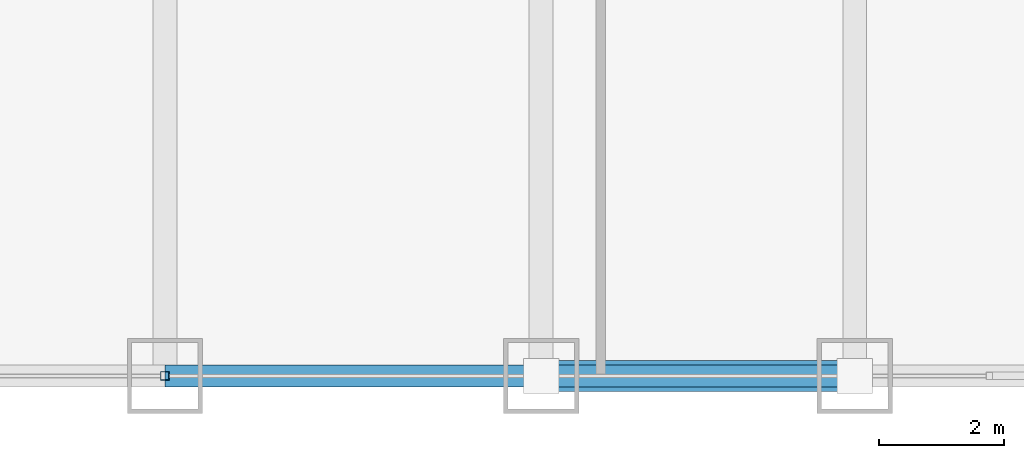
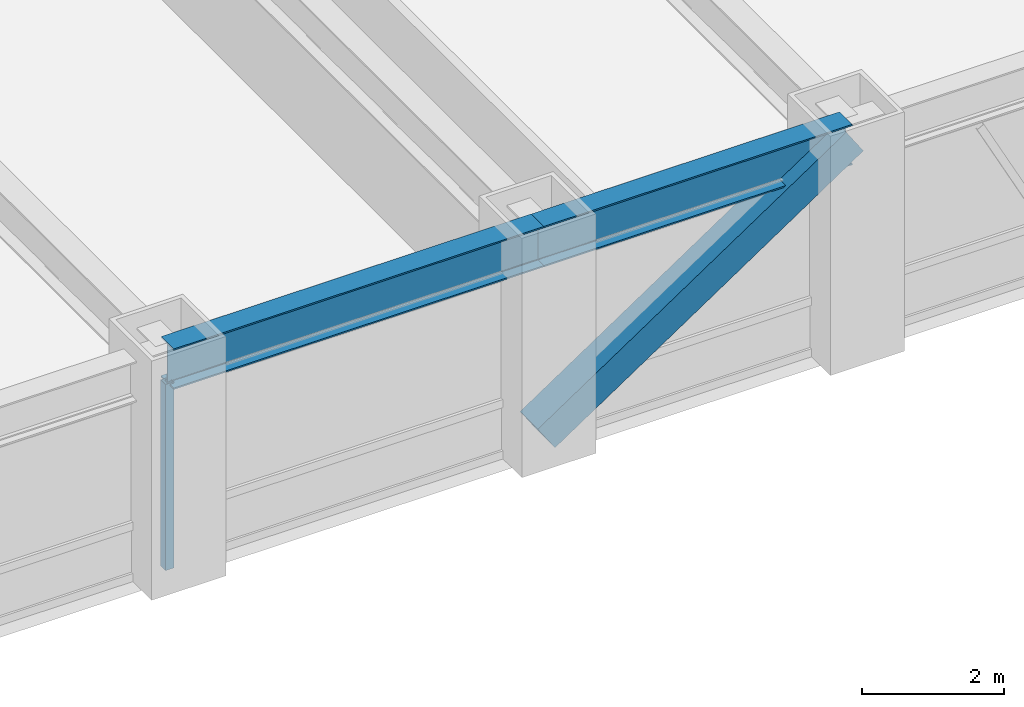
# One storey, part 4 of 27: 2 beams, 2 members, 1 element without a shape of its own.
"""IFC4 building model written with IfcOpenShell, lengths in metres."""

import ifcopenshell
import ifcopenshell.guid

model = None  # the IFC model being written
_history = None  # IfcOwnerHistory: only IFC2X3 demands one
_inside = {}  # id of a spatial element -> (the spatial element, [elements in it])
_under = {}  # id of a project, library or spatial element -> (it, [spatial elements below it])
_declared = {}  # id of a project -> (the project, [libraries it declares])
_typed = {}  # id of a type object -> (the type object, [elements of that type])
_made_of = {}  # id of a material, layer set ... -> (it, [elements and type objects made of it])


def new_model(schema):
    """Start an empty IFC model of exactly this schema.

    Asked for "IFC4X3", IfcOpenShell would pick the latest addendum, in which some entities
    have other attributes; the version numbers below select the first issue.
    IFC2X3 requires an IfcOwnerHistory on every rooted entity: one is made here for all.
    """
    global model, _history
    if schema == "IFC4X3":
        model = ifcopenshell.file(schema_version=(4, 3, 0, 0))
    else:
        model = ifcopenshell.file(schema=schema)
    _inside.clear()
    _under.clear()
    _declared.clear()
    _typed.clear()
    _made_of.clear()
    _history = None
    if model.schema == "IFC2X3":
        org = make("IfcOrganization", Name="unknown")
        user = make(
            "IfcPersonAndOrganization",
            ThePerson=make("IfcPerson", FamilyName="unknown"),
            TheOrganization=org,
        )
        app = make(
            "IfcApplication",
            ApplicationDeveloper=org,
            Version="unknown",
            ApplicationFullName="unknown",
            ApplicationIdentifier="unknown",
        )
        _history = make(
            "IfcOwnerHistory",
            OwningUser=user,
            OwningApplication=app,
            ChangeAction="ADDED",
            CreationDate=0,
        )
    return model


def make(cls, **values):
    """One entity of the class cls with the attributes given. An attribute that is None is left unset."""
    return model.create_entity(
        cls, **{name: value for name, value in values.items() if value is not None}
    )


def rooted(cls, **values):
    """An entity with a GlobalId (a new one), such as an element, a storey or a relation."""
    return make(cls, GlobalId=ifcopenshell.guid.new(), OwnerHistory=_history, **values)


def si_unit(unit_type, name, prefix=None):
    """IfcSIUnit, for example si_unit("LENGTHUNIT", "METRE", prefix="MILLI")."""
    return make("IfcSIUnit", UnitType=unit_type, Prefix=prefix, Name=name)


def assignment(units):
    """IfcUnitAssignment: the units of a project."""
    return None if units is None else make("IfcUnitAssignment", Units=units)


def point(xyz):
    """IfcCartesianPoint."""
    return None if xyz is None else make("IfcCartesianPoint", Coordinates=xyz)


def direction(xyz):
    """IfcDirection."""
    return None if xyz is None else make("IfcDirection", DirectionRatios=xyz)


def frame(location, z_axis=None, x_axis=None):
    """IfcAxis2Placement3D, a coordinate frame: its origin and axes. An axis left out is left unset."""
    return make(
        "IfcAxis2Placement3D",
        Location=point(location),
        Axis=direction(z_axis),
        RefDirection=direction(x_axis),
    )


def frame_2d(location, x_axis=None):
    """IfcAxis2Placement2D, a coordinate frame in the plane: its origin and x axis."""
    return make(
        "IfcAxis2Placement2D", Location=point(location), RefDirection=direction(x_axis)
    )


def origin():
    """The frame at (0, 0, 0) with its axes left unset."""
    return frame((0.0, 0.0, 0.0))


def origin_2d():
    """The frame at (0, 0) in the plane with its x axis left unset."""
    return frame_2d((0.0, 0.0))


def place(relative_to, where):
    """IfcLocalPlacement: puts the frame where relative to a parent placement (None: the world)."""
    return make(
        "IfcLocalPlacement", PlacementRelTo=relative_to, RelativePlacement=where
    )


def context(
    kind, dimensions, precision=None, world=None, true_north=None, identifier=None
):
    """IfcGeometricRepresentationContext, for example the 3D "Model" context."""
    return make(
        "IfcGeometricRepresentationContext",
        ContextIdentifier=identifier,
        ContextType=kind,
        CoordinateSpaceDimension=dimensions,
        Precision=precision,
        WorldCoordinateSystem=world,
        TrueNorth=true_north,
    )


def subcontext(parent, identifier, kind, view, scale=None):
    """IfcGeometricRepresentationSubContext, for example "Body" below "Model"."""
    return make(
        "IfcGeometricRepresentationSubContext",
        ContextIdentifier=identifier,
        ContextType=kind,
        ParentContext=parent,
        TargetScale=scale,
        TargetView=view,
    )


def project(units=None, contexts=None):
    """IfcProject with its units and contexts."""
    return rooted(
        "IfcProject",
        Name="project",
        RepresentationContexts=contexts,
        UnitsInContext=assignment(units),
    )


def spatial(cls, under=None, at=None, **own):
    """A site, building, storey or space (cls), placed at a placement, below another one or the project."""
    s = rooted(cls, ObjectPlacement=at, **own)
    if under is not None:
        _under.setdefault(under.id(), (under, []))[1].append(s)
    return s


def profile(cls, at=None, kind="AREA", **sizes):
    """A parametric profile (cls). Its sizes go by their IFC names, for example OverallWidth=200.0."""
    return make(cls, ProfileType=kind, Position=at, **sizes)


def hollow_rectangle(**sizes):
    """IfcRectangleHollowProfileDef."""
    return profile("IfcRectangleHollowProfileDef", **sizes)


def i_section(**sizes):
    """IfcIShapeProfileDef."""
    return profile("IfcIShapeProfileDef", **sizes)


def extrude(swept, where, along, depth):
    """IfcExtrudedAreaSolid: the profile swept, set in the frame where, extruded along a direction by depth."""
    return make(
        "IfcExtrudedAreaSolid",
        SweptArea=swept,
        Position=where,
        ExtrudedDirection=direction(along),
        Depth=depth,
    )


def shape(context_of_items, identifier, shape_type, items):
    """IfcShapeRepresentation: the items that make up one representation, for example the "Body"."""
    return make(
        "IfcShapeRepresentation",
        ContextOfItems=context_of_items,
        RepresentationIdentifier=identifier,
        RepresentationType=shape_type,
        Items=items,
    )


def source(mapping_origin, context_of_items, identifier, shape_type, items):
    """IfcRepresentationMap: a shape defined once, which mapped items show again and again."""
    return make(
        "IfcRepresentationMap",
        MappingOrigin=mapping_origin,
        MappedRepresentation=shape(context_of_items, identifier, shape_type, items),
    )


def transform(
    local_origin,
    x_axis=None,
    y_axis=None,
    z_axis=None,
    scale=None,
    scale2=None,
    scale3=None,
    uniform=True,
):
    """IfcCartesianTransformationOperator3D, or its non-uniform kind. x_axis, y_axis, z_axis: its Axis1, 2, 3."""
    if uniform:
        return make(
            "IfcCartesianTransformationOperator3D",
            Axis1=direction(x_axis),
            Axis2=direction(y_axis),
            LocalOrigin=point(local_origin),
            Scale=scale,
            Axis3=direction(z_axis),
        )
    return make(
        "IfcCartesianTransformationOperator3DnonUniform",
        Axis1=direction(x_axis),
        Axis2=direction(y_axis),
        LocalOrigin=point(local_origin),
        Scale=scale,
        Axis3=direction(z_axis),
        Scale2=scale2,
        Scale3=scale3,
    )


def mapped(mapping_source, mapping_target):
    """IfcMappedItem: shows the shape of a source again, moved by a transform."""
    return make(
        "IfcMappedItem", MappingSource=mapping_source, MappingTarget=mapping_target
    )


def material(Name=None, Category=None):
    """IfcMaterial."""
    return make("IfcMaterial", Name=Name, Category=Category)


def material_profile(
    of_material, cross_section, Name=None, Category=None, Priority=None
):
    """IfcMaterialProfile: a cross section and its material."""
    return make(
        "IfcMaterialProfile",
        Name=Name,
        Material=of_material,
        Profile=cross_section,
        Priority=Priority,
        Category=Category,
    )


def profile_set(profiles, Name=None, composite=None):
    """IfcMaterialProfileSet."""
    return make(
        "IfcMaterialProfileSet",
        Name=Name,
        MaterialProfiles=profiles,
        CompositeProfile=composite,
    )


def made_of(thing, what):
    """Note that an element or type object is made of a material, layer set ...; save() writes the relation."""
    if what is not None:
        _made_of.setdefault(what.id(), (what, []))[1].append(thing)
    return thing


def type_object(cls, material=None, **own):
    """A type object (cls), such as IfcWallType, which elements share."""
    return made_of(rooted(cls, **own), material)


def element(
    cls,
    number,
    at=None,
    inside=None,
    cuts=None,
    type_object=None,
    material=None,
    context=None,
    identifier="Body",
    shape_type=None,
    held_by="IfcProductDefinitionShape",
    body=None,
    shapes=None,
    **own,
):
    """One element of the class cls, such as IfcWall. Its Tag is "e" and its number.

    at: its placement. inside: the storey or other place that contains it. cuts: it is an
    opening in that element (IfcRelVoidsElement). A single representation is given by context,
    identifier, shape_type and body (its items); several are given by shapes. held_by: the class
    of the entity that holds the representations. save() writes the other relations.
    """
    e = rooted(cls, Tag="e%d" % number, ObjectPlacement=at, **own)
    if body is not None:
        shapes = [shape(context, identifier, shape_type, body)]
    if shapes is not None:
        e.Representation = make(held_by, Representations=shapes)
    if inside is not None:
        _inside.setdefault(inside.id(), (inside, []))[1].append(e)
    if cuts is not None:
        rooted(
            "IfcRelVoidsElement", RelatingBuildingElement=cuts, RelatedOpeningElement=e
        )
    if type_object is not None:
        _typed.setdefault(type_object.id(), (type_object, []))[1].append(e)
    return made_of(e, material)


def aggregate(whole, parts):
    """IfcRelAggregates: a whole, such as a stair, and the parts it consists of."""
    return rooted("IfcRelAggregates", RelatingObject=whole, RelatedObjects=parts)


def save(model, path):
    """Write the relations noted so far, then the file.

    IfcRelAggregates (storeys below a building ...), IfcRelContainedInSpatialStructure (elements
    in a storey), IfcRelDefinesByType, IfcRelAssociatesMaterial and IfcRelDeclares: one each for
    every whole, place, type object, material and project.
    """
    for whole, parts in _under.values():
        aggregate(whole, parts)
    for where, things in _inside.values():
        rooted(
            "IfcRelContainedInSpatialStructure",
            RelatedElements=things,
            RelatingStructure=where,
        )
    for kind, things in _typed.values():
        rooted("IfcRelDefinesByType", RelatedObjects=things, RelatingType=kind)
    for what, things in _made_of.values():
        rooted("IfcRelAssociatesMaterial", RelatedObjects=things, RelatingMaterial=what)
    for by, libraries in _declared.values():
        rooted("IfcRelDeclares", RelatingContext=by, RelatedDefinitions=libraries)
    model.write(path)


model = new_model("IFC4")

# Units and contexts
model_context = context("Model", 3, precision=1e-05, world=origin(), true_north=direction((0.0, 1.0)))
body_context = subcontext(model_context, "Body", "Model", "MODEL_VIEW")
ifc_project = project(units=[si_unit("LENGTHUNIT", "METRE"), si_unit("AREAUNIT", "SQUARE_METRE"), si_unit("VOLUMEUNIT", "CUBIC_METRE"), si_unit("PLANEANGLEUNIT", "RADIAN"), si_unit("MASSUNIT", "GRAM", prefix="KILO")], contexts=[model_context])

# Site, building, storey
site_placement = place(None, origin())
site = spatial("IfcSite", under=ifc_project, at=site_placement, CompositionType="ELEMENT")
building_placement = place(site_placement, origin())
building = spatial("IfcBuilding", under=site, at=building_placement, Name="Khorayat Bourse Tower", CompositionType="ELEMENT")
storey_placement = place(building_placement, frame((0.0, 0.0, 103.699951171875)))
storey = spatial("IfcBuildingStorey", under=building, at=storey_placement, Name="L23", CompositionType="ELEMENT", Elevation=103.699951171875)

# Beams
ifc_material_1 = material(Name="Steel ASTM A992 Grade 50", Category="steel")
ifc_material_profile_1 = material_profile(ifc_material_1, i_section(OverallWidth=0.35498046875, OverallDepth=0.695068359375, WebThickness=0.015380859375, FlangeThickness=0.02490234375, FilletRadius=0.01806640625, at=origin_2d()), Name="W690X217")
ifc_profile_set_1 = profile_set([ifc_material_profile_1], Name="Steel ASTM A992 Grade 50")
beam_type = type_object("IfcBeamType", Name="BM-SPAN-690", PredefinedType="SPANDREL", material=ifc_profile_set_1)
shared_shape_1 = source(origin(), body_context, "Body", "SweptSolid", [
    extrude(i_section(OverallWidth=0.35498046875, OverallDepth=0.695068359375, WebThickness=0.015380859375, FlangeThickness=0.02490234375, FilletRadius=0.01806640625, at=origin_2d()), origin(), (0.0, 0.0, 1.0), 5.0),
])
beam_1_placement = place(storey_placement, frame((6.0, -32.0, 3.492431640625), z_axis=(1.0, 0.0, 0.0), x_axis=(0.0, 1.0, 0.0)))
element("IfcBeam", 1, at=beam_1_placement, inside=storey, type_object=beam_type, Name="L23 BM-SPAN-690 BM-L23-SPN-029", PredefinedType="SPANDREL", context=body_context, shape_type="MappedRepresentation", body=[
    mapped(shared_shape_1, transform((0.0, 0.0, 0.0), scale=1.0)),
])
shared_shape_2 = source(origin(), body_context, "Body", "SweptSolid", [
    extrude(i_section(OverallWidth=0.35498046875, OverallDepth=0.695068359375, WebThickness=0.015380859375, FlangeThickness=0.02490234375, FilletRadius=0.01806640625, at=origin_2d()), origin(), (0.0, 0.0, 1.0), 6.0),
])
beam_2_placement = place(storey_placement, frame((0.0, -32.0, 3.492431640625), z_axis=(1.0, 0.0, 0.0), x_axis=(0.0, 1.0, 0.0)))
element("IfcBeam", 2, at=beam_2_placement, inside=storey, type_object=beam_type, Name="L23 BM-SPAN-690 BM-L23-SPN-028", PredefinedType="SPANDREL", context=body_context, shape_type="MappedRepresentation", body=[
    mapped(shared_shape_2, transform((0.0, 0.0, 0.0), scale=1.0)),
])

# Member
ifc_material_2 = material(Name="Steel EN 10025-4 S460M", Category="steel")
ifc_material_profile_2 = material_profile(ifc_material_2, hollow_rectangle(XDim=0.5, YDim=0.5, WallThickness=0.028076171875, at=origin_2d()), Name="HSS 500x500x28")
ifc_profile_set_2 = profile_set([ifc_material_profile_2], Name="Steel EN 10025-4 S460M")
member_type_1 = type_object("IfcMemberType", Name="MBR-TUBE-500", PredefinedType="BRACE", material=ifc_profile_set_2)
shared_shape_3 = source(origin(), body_context, "Body", "SweptSolid", [
    extrude(hollow_rectangle(XDim=0.5, YDim=0.5, WallThickness=0.028076171875, at=origin_2d()), origin(), (0.0, 0.0, 1.0), 6.012939453125),
])
member_1_placement = place(storey_placement, frame((6.0, -32.0, 0.25), z_axis=(0.831531473026, 0.0, 0.555477640745), x_axis=(0.0, 1.0, 0.0)))
element("IfcMember", 3, at=member_1_placement, inside=storey, type_object=member_type_1, Name="L23 Perimeter Tube Brace 02", PredefinedType="BRACE", context=body_context, shape_type="MappedRepresentation", body=[
    mapped(shared_shape_3, transform((0.0, 0.0, 0.0), scale=1.0)),
])

# Curtain wall, member
ifc_material_3 = material(Name="Aluminium EN AW-6063 T6", Category="aluminium")
curtain_wall_type = type_object("IfcCurtainWallType", Name="CW-SYS-02", PredefinedType="NOTDEFINED", material=ifc_material_3)
curtain_wall_placement = place(storey_placement, origin())
curtain_wall = element("IfcCurtainWall", 4, at=curtain_wall_placement, inside=storey, type_object=curtain_wall_type, Name="L23 Curtain Wall CW-L23-S1", PredefinedType="NOTDEFINED")
ifc_material_profile_3 = material_profile(ifc_material_3, hollow_rectangle(XDim=0.139892578125, YDim=0.139892578125, WallThickness=0.006103515625, at=origin_2d()), Name="ALU 140x140x6")
ifc_profile_set_3 = profile_set([ifc_material_profile_3], Name="Aluminium EN AW-6063 T6")
member_type_2 = type_object("IfcMemberType", Name="CWM-VERT-140", PredefinedType="MULLION", material=ifc_profile_set_3)
shared_shape_4 = source(origin(), body_context, "Body", "SweptSolid", [
    extrude(hollow_rectangle(XDim=0.139892578125, YDim=0.139892578125, WallThickness=0.006103515625, at=origin_2d()), origin(), (0.0, 0.0, 1.0), 3.18994140625),
])
member_2_placement = place(storey_placement, frame((0.0, -32.0, 0.0), z_axis=(0.0, 0.0, 1.0), x_axis=(0.0, 1.0, 0.0)))
member_2 = element("IfcMember", 5, at=member_2_placement, type_object=member_type_2, Name="CW-L23-S1 Vertical Mullion 2", PredefinedType="MULLION", context=body_context, shape_type="MappedRepresentation", body=[
    mapped(shared_shape_4, transform((0.0, 0.0, 0.0), scale=1.0)),
])
aggregate(curtain_wall, [member_2])

save(model, "model.ifc")
